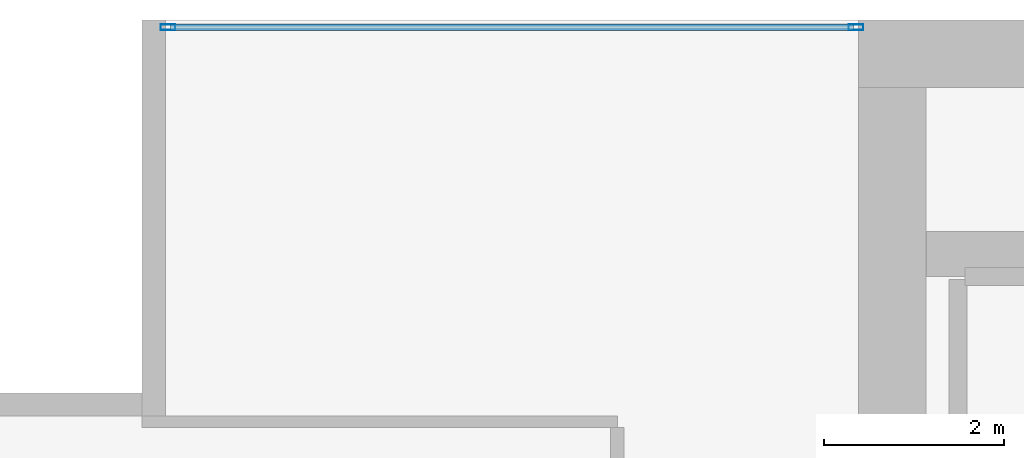
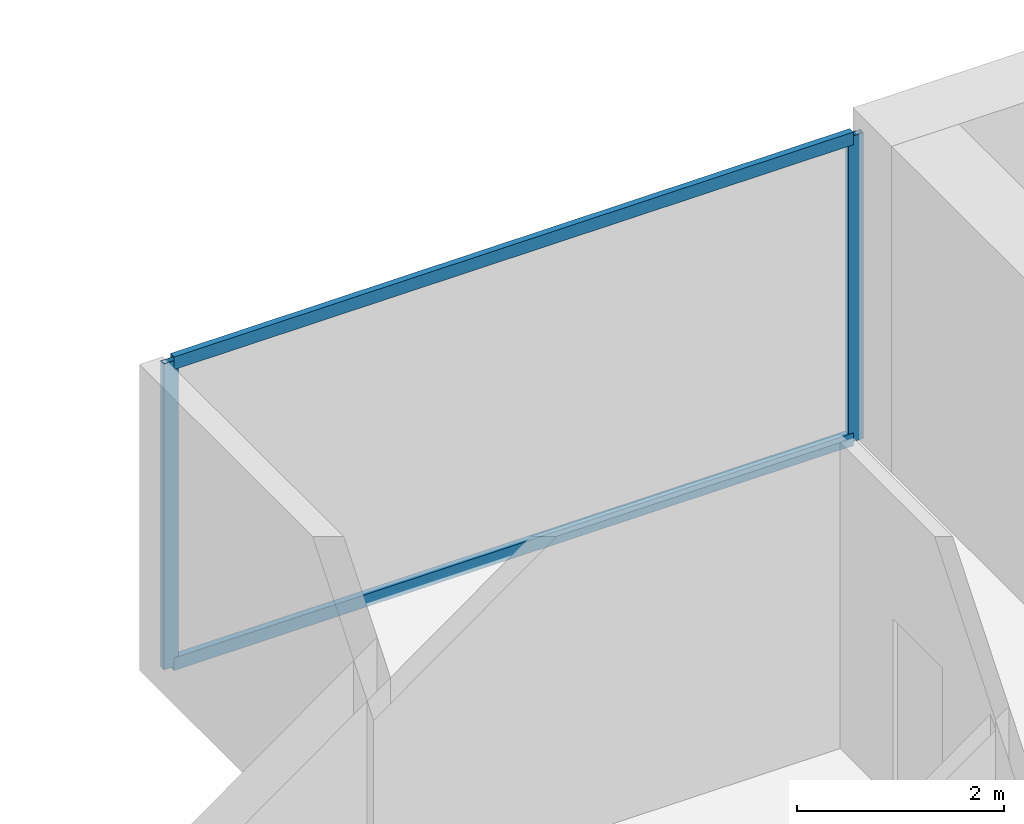
# One storey, part 22 of 34: 4 members, 1 element without a shape of its own.
"""IFC4 building model written with IfcOpenShell, lengths in metres."""

from ifc_helpers import new_model, si_unit, direction, frame, origin, origin_2d, place, context, subcontext, project, spatial, hollow_rectangle, extrude, material, layer, layer_set, material_profile, profile_set, type_object, element, aggregate, save


model = new_model("IFC4")

# Units and contexts
model_context = context("Model", 3, precision=1e-05, world=origin(), true_north=direction((0.0, 1.0)))
body_context = subcontext(model_context, "Body", "Model", "MODEL_VIEW")
ifc_project = project(units=[si_unit("LENGTHUNIT", "METRE"), si_unit("AREAUNIT", "SQUARE_METRE"), si_unit("VOLUMEUNIT", "CUBIC_METRE"), si_unit("PLANEANGLEUNIT", "RADIAN"), si_unit("MASSUNIT", "GRAM", prefix="KILO")], contexts=[model_context])

# Site, building, storey
site_placement = place(None, origin())
site = spatial("IfcSite", under=ifc_project, at=site_placement, CompositionType="ELEMENT")
building_placement = place(site_placement, origin())
building = spatial("IfcBuilding", under=site, at=building_placement, Name="Maruvema Waterfront Hotel and Observation Tower", CompositionType="ELEMENT")
storey_placement = place(building_placement, frame((0.0, 0.0, 173.60009765625)))
storey = spatial("IfcBuildingStorey", under=building, at=storey_placement, Name="L42", CompositionType="ELEMENT", Elevation=173.60009765625)

# Curtain wall, members
ifc_material_1 = material(Name="Anodised bronze aluminium and solar-control low-E IGU", Category="aluminium")
ifc_layer = layer(ifc_material_1, 0.159912109375, Name="Zone 2 Amber Inner Thermal Curtain Wall System CW-03")
ifc_layer_set = layer_set([ifc_layer], Name="Anodised bronze aluminium and solar-control low-E IGU")
curtain_wall_type = type_object("IfcCurtainWallType", Name="Zone 2 Amber Inner Thermal Curtain Wall System CW-03", PredefinedType="USERDEFINED", material=ifc_layer_set)
curtain_wall_placement = place(storey_placement, origin())
curtain_wall = element("IfcCurtainWall", 1, at=curtain_wall_placement, inside=storey, type_object=curtain_wall_type, Name="L42 Curtain Wall CW-L42-NW", ObjectType="UNITISED CURTAIN WALL", PredefinedType="USERDEFINED")
ifc_material_2 = material(Name="Anodised architectural bronze aluminium", Category="aluminium")
ifc_material_profile_1 = material_profile(ifc_material_2, hollow_rectangle(XDim=0.070068359375, YDim=0.14990234375, WallThickness=0.00390625, at=origin_2d()), Name="ALU-T70x150")
ifc_profile_set_1 = profile_set([ifc_material_profile_1], Name="Anodised architectural bronze aluminium")
member_type_1 = type_object("IfcMemberType", Name="Curtain Wall Horizontal Transom ALU-T70x150", PredefinedType="USERDEFINED", material=ifc_profile_set_1)
member_1_placement = place(storey_placement, frame((25.139892578125, 53.919921875, 0.02978515625), z_axis=(-1.0, 0.0, 0.0), x_axis=(0.0, -1.0, 0.0)))
member_1 = element("IfcMember", 2, at=member_1_placement, type_object=member_type_1, Name="CW-03 transom 1.1", ObjectType="TRANSOM", PredefinedType="USERDEFINED", context=body_context, shape_type="SweptSolid", body=[
    extrude(hollow_rectangle(XDim=0.070068359375, YDim=0.14990234375, WallThickness=0.00390625, at=origin_2d()), origin(), (0.0, 0.0, 1.0), 7.579833984375),
])
member_2_placement = place(storey_placement, frame((25.139892578125, 53.919921875, 3.579833984375), z_axis=(-1.0, 0.0, 0.0), x_axis=(0.0, -1.0, 0.0)))
member_2 = element("IfcMember", 3, at=member_2_placement, type_object=member_type_1, Name="CW-03 transom 1.2", ObjectType="TRANSOM", PredefinedType="USERDEFINED", context=body_context, shape_type="SweptSolid", body=[
    extrude(hollow_rectangle(XDim=0.070068359375, YDim=0.14990234375, WallThickness=0.00390625, at=origin_2d()), origin(), (0.0, 0.0, 1.0), 7.579833984375),
])
ifc_material_3 = material(Name="Anodised architectural bronze aluminium", Category="aluminium")
ifc_material_profile_2 = material_profile(ifc_material_3, hollow_rectangle(XDim=0.06494140625, YDim=0.1650390625, WallThickness=0.00390625, at=origin_2d()), Name="ALU-M65x165")
ifc_profile_set_2 = profile_set([ifc_material_profile_2], Name="Anodised architectural bronze aluminium")
member_type_2 = type_object("IfcMemberType", Name="Curtain Wall Primary Mullion ALU-M65x165", PredefinedType="MULLION", material=ifc_profile_set_2)
member_3_placement = place(storey_placement, frame((25.169921875, 53.919921875, 0.0), z_axis=(0.0, 0.0, 1.0), x_axis=(0.0, -1.0, 0.0)))
member_3 = element("IfcMember", 4, at=member_3_placement, type_object=member_type_2, Name="CW-03 mullion 1", PredefinedType="MULLION", context=body_context, shape_type="SweptSolid", body=[
    extrude(hollow_rectangle(XDim=0.06494140625, YDim=0.1650390625, WallThickness=0.00390625, at=origin_2d()), origin(), (0.0, 0.0, 1.0), 3.60986328125),
])
member_4_placement = place(storey_placement, frame((17.530029296875, 53.919921875, 0.0), z_axis=(0.0, 0.0, 1.0), x_axis=(0.0, -1.0, 0.0)))
member_4 = element("IfcMember", 5, at=member_4_placement, type_object=member_type_2, Name="CW-03 mullion 2", PredefinedType="MULLION", context=body_context, shape_type="SweptSolid", body=[
    extrude(hollow_rectangle(XDim=0.06494140625, YDim=0.1650390625, WallThickness=0.00390625, at=origin_2d()), origin(), (0.0, 0.0, 1.0), 3.60986328125),
])
aggregate(curtain_wall, [member_3, member_4, member_1, member_2])

save(model, "model.ifc")
